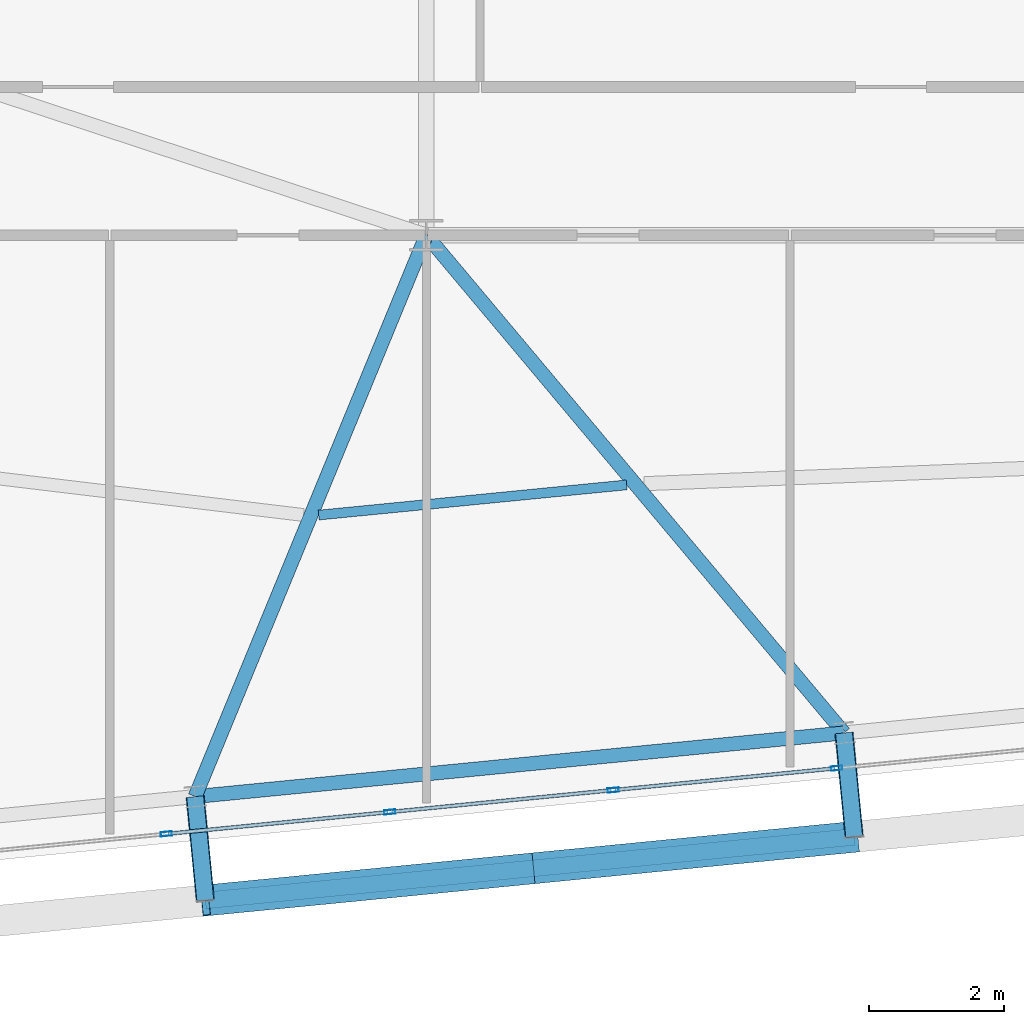
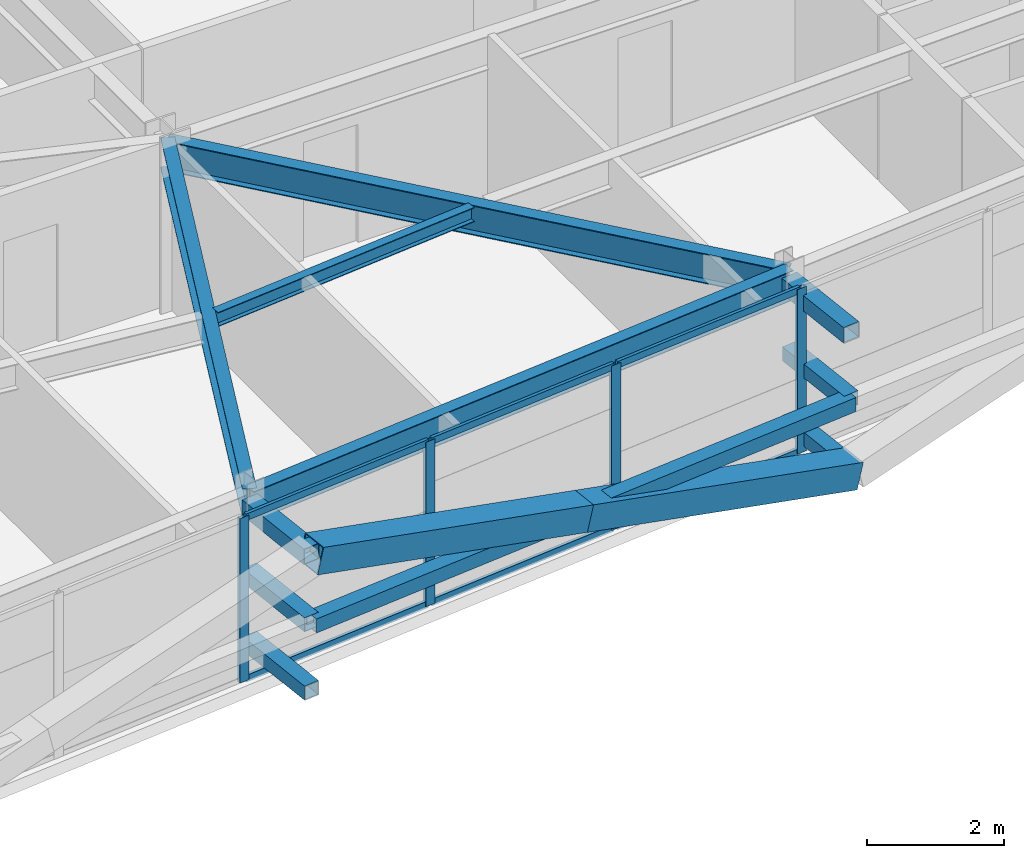
# One storey, part 10 of 54: 19 members, 4 beams, 1 element without a shape of its own.
"""IFC4 building model written with IfcOpenShell, lengths in metres."""

from ifc_helpers import new_model, si_unit, direction, frame, origin, origin_2d, place, context, subcontext, project, spatial, hollow_rectangle, i_section, extrude, source, transform, mapped, material, layer, layer_set, material_profile, profile_set, type_object, element, aggregate, save


model = new_model("IFC4")

# Units and contexts
model_context = context("Model", 3, precision=1e-05, world=origin(), true_north=direction((0.0, 1.0)))
body_context = subcontext(model_context, "Body", "Model", "MODEL_VIEW")
ifc_project = project(units=[si_unit("LENGTHUNIT", "METRE"), si_unit("AREAUNIT", "SQUARE_METRE"), si_unit("VOLUMEUNIT", "CUBIC_METRE"), si_unit("PLANEANGLEUNIT", "RADIAN"), si_unit("MASSUNIT", "GRAM", prefix="KILO")], contexts=[model_context])

# Site, building, storey
site_placement = place(None, origin())
site = spatial("IfcSite", under=ifc_project, at=site_placement, CompositionType="ELEMENT")
building_placement = place(site_placement, origin())
building = spatial("IfcBuilding", under=site, at=building_placement, Name="Taldren Reach Tower", CompositionType="ELEMENT")
storey_placement = place(building_placement, frame((0.0, 0.0, 99.75)))
storey = spatial("IfcBuildingStorey", under=building, at=storey_placement, Name="L30", CompositionType="ELEMENT", Elevation=99.75)

# Beams
ifc_material_1 = material(Name="Steel Gr 350 (350PLUS)", Category="steel")
ifc_material_profile_1 = material_profile(ifc_material_1, i_section(OverallWidth=0.208984375, OverallDepth=0.528076171875, WebThickness=0.009521484375, FlangeThickness=0.01318359375, at=origin_2d()), Name="530UB82.0")
ifc_profile_set_1 = profile_set([ifc_material_profile_1], Name="Steel Gr 350 (350PLUS)")
beam_type_1 = type_object("IfcBeamType", Name="SP-UB530B", PredefinedType="SPANDREL", material=ifc_profile_set_1)
shared_shape_1 = source(origin(), body_context, "Body", "SweptSolid", [
    extrude(i_section(OverallWidth=0.208984375, OverallDepth=0.528076171875, WebThickness=0.009521484375, FlangeThickness=0.01318359375, at=origin_2d()), origin(), (0.0, 0.0, 1.0), 9.679931640625),
])
beam_1_placement = place(storey_placement, frame((24.56787109375, 0.86474609375, 2.666015625), z_axis=(0.995227612658, 0.097580730699, 0.0), x_axis=(-0.097580730699, 0.995227612658, 0.0)))
element("IfcBeam", 1, at=beam_1_placement, inside=storey, type_object=beam_type_1, Name="Perimeter spandrel B2 S2-S3 L30", PredefinedType="SPANDREL", context=body_context, shape_type="MappedRepresentation", body=[
    mapped(shared_shape_1, transform((0.0, 0.0, 0.0), scale=1.0)),
])
ifc_material_profile_2 = material_profile(ifc_material_1, i_section(OverallWidth=0.208984375, OverallDepth=0.532958984375, WebThickness=0.01025390625, FlangeThickness=0.015625, at=origin_2d()), Name="530UB92.4")
ifc_profile_set_2 = profile_set([ifc_material_profile_2], Name="Steel Gr 350 (350PLUS)")
beam_type_2 = type_object("IfcBeamType", Name="BM-UB530A", PredefinedType="BEAM", material=ifc_profile_set_2)
shared_shape_2 = source(origin(), body_context, "Body", "SweptSolid", [
    extrude(i_section(OverallWidth=0.208984375, OverallDepth=0.532958984375, WebThickness=0.01025390625, FlangeThickness=0.015625, at=origin_2d()), origin(), (0.0, 0.0, 1.0), 9.01416015625),
])
beam_2_placement = place(storey_placement, frame((28.0, 9.199951171875, 2.66357421875), z_axis=(-0.380748443035, -0.924678659387, 0.0), x_axis=(0.924678659387, -0.380748443035, 0.0)))
element("IfcBeam", 2, at=beam_2_placement, inside=storey, type_object=beam_type_2, Name="Primary floor girder B2-S2 L30", PredefinedType="BEAM", context=body_context, shape_type="MappedRepresentation", body=[
    mapped(shared_shape_2, transform((0.0, 0.0, 0.0), scale=1.0)),
])
shared_shape_3 = source(origin(), body_context, "Body", "SweptSolid", [
    extrude(i_section(OverallWidth=0.208984375, OverallDepth=0.532958984375, WebThickness=0.01025390625, FlangeThickness=0.015625, at=origin_2d()), origin(), (0.0, 0.0, 1.0), 9.64794921875),
])
beam_3_placement = place(storey_placement, frame((28.0, 9.199951171875, 2.66357421875), z_axis=(0.642799132398, -0.766034774268, 0.0), x_axis=(0.766034774268, 0.642799132398, 0.0)))
element("IfcBeam", 3, at=beam_3_placement, inside=storey, type_object=beam_type_2, Name="Primary floor girder B2-S3 L30", PredefinedType="BEAM", context=body_context, shape_type="MappedRepresentation", body=[
    mapped(shared_shape_3, transform((0.0, 0.0, 0.0), scale=1.0)),
])
ifc_material_2 = material(Name="Steel Gr 300 (300PLUS, 300 MPa)", Category="steel")
ifc_material_profile_3 = material_profile(ifc_material_2, i_section(OverallWidth=0.14599609375, OverallDepth=0.256103515625, WebThickness=0.00634765625, FlangeThickness=0.010986328125, at=origin_2d()), Name="250UB37.3")
ifc_profile_set_3 = profile_set([ifc_material_profile_3], Name="Steel Gr 300 (300PLUS, 300 MPa)")
beam_type_3 = type_object("IfcBeamType", Name="JS-UB250", PredefinedType="JOIST", material=ifc_profile_set_3)
shared_shape_4 = source(origin(), body_context, "Body", "SweptSolid", [
    extrude(i_section(OverallWidth=0.14599609375, OverallDepth=0.256103515625, WebThickness=0.00634765625, FlangeThickness=0.010986328125, at=origin_2d()), origin(), (0.0, 0.0, 1.0), 4.594970703125),
])
beam_4_placement = place(storey_placement, frame((26.40185546875, 5.0439453125, 2.802001953125), z_axis=(0.995230447096, 0.097551817888, 0.0), x_axis=(-0.097551817888, 0.995230447096, 0.0)))
element("IfcBeam", 4, at=beam_4_placement, inside=storey, type_object=beam_type_3, Name="Secondary floor joist B2 J2 L30", PredefinedType="JOIST", context=body_context, shape_type="MappedRepresentation", body=[
    mapped(shared_shape_4, transform((0.0, 0.0, 0.0), scale=1.0)),
])

# Members
ifc_material_3 = material(Name="Steel Gr 450 (C450L0)", Category="steel")
ifc_material_profile_4 = material_profile(ifc_material_3, hollow_rectangle(XDim=0.27490234375, YDim=0.27490234375, WallThickness=0.00927734375, at=origin_2d()), Name="275x275x9.3SHS")
ifc_profile_set_4 = profile_set([ifc_material_profile_4], Name="Steel Gr 450 (C450L0)")
member_type_1 = type_object("IfcMemberType", Name="MB-TIE273", PredefinedType="STRUT", material=ifc_profile_set_4)
shared_shape_5 = source(origin(), body_context, "Body", "SweptSolid", [
    extrude(hollow_rectangle(XDim=0.27490234375, YDim=0.27490234375, WallThickness=0.00927734375, at=origin_2d()), origin(), (0.0, 0.0, 1.0), 1.550048828125),
])
for number, where, z_axis, x_axis, name in (
    (5, (24.56787109375, 0.86474609375, 2.64990234375), (0.097647892962, -0.9952210252, 0.0), (0.9952210252, 0.097647892962, 0.0), "Exoskeleton diaphragm tie strut B2-S2 L30"),
    (6, (34.20166015625, 1.809326171875, 2.64990234375), (0.097647892962, -0.9952210252, 0.0), (0.9952210252, 0.097647892962, 0.0), "Exoskeleton diaphragm tie strut B2-S3 L30"),
):
    element("IfcMember", number, at=place(storey_placement, frame(where, z_axis=z_axis, x_axis=x_axis)), inside=storey, type_object=member_type_1, Name=name, PredefinedType="STRUT", context=body_context, shape_type="MappedRepresentation", body=[
        mapped(shared_shape_5, transform((0.0, 0.0, 0.0), scale=1.0)),
    ])
ifc_material_profile_5 = material_profile(ifc_material_3, hollow_rectangle(XDim=0.4599609375, YDim=0.4599609375, WallThickness=0.01611328125, at=origin_2d()), Name="460x460x16.0SHS")
ifc_profile_set_5 = profile_set([ifc_material_profile_5], Name="Steel Gr 450 (C450L0)")
member_type_2 = type_object("IfcMemberType", Name="MB-EXO457", PredefinedType="BRACE", material=ifc_profile_set_5)
shared_shape_6 = source(origin(), body_context, "Body", "SweptSolid", [
    extrude(hollow_rectangle(XDim=0.4599609375, YDim=0.4599609375, WallThickness=0.01611328125, at=origin_2d()), origin(), (0.0, 0.0, 1.0), 4.990234375),
])
for number, where, z_axis, x_axis, name in (
    (7, (34.35302734375, 0.2666015625, 0.219970703125), (-0.965275526283, -0.094619506732, 0.243496010862), (0.097555749586, -0.995230061706, 0.0), "Exoskeleton Diagrid Brace B2-S2 L30"),
    (8, (29.5361328125, -0.20556640625, 1.43505859375), (-0.965282554799, -0.094669120301, 0.243448859234), (0.097605711627, -0.995225162995, 0.0), "Exoskeleton Diagrid Brace B2-S2 L30"),
):
    element("IfcMember", number, at=place(storey_placement, frame(where, z_axis=z_axis, x_axis=x_axis)), inside=storey, type_object=member_type_2, Name=name, PredefinedType="BRACE", context=body_context, shape_type="MappedRepresentation", body=[
        mapped(shared_shape_6, transform((0.0, 0.0, 0.0), scale=1.0)),
    ])
ifc_material_4 = material(Name="Steel Gr 350 (C350L0)", Category="steel")
ifc_material_profile_6 = material_profile(ifc_material_4, hollow_rectangle(XDim=0.25, YDim=0.25, WallThickness=0.010009765625, at=origin_2d()), Name="250x250x10.0SHS")
ifc_profile_set_6 = profile_set([ifc_material_profile_6], Name="Steel Gr 350 (C350L0)")
member_type_3 = type_object("IfcMemberType", Name="MB-POST250", PredefinedType="POST", material=ifc_profile_set_6)
shared_shape_7 = source(origin(), body_context, "Body", "SweptSolid", [
    extrude(hollow_rectangle(XDim=0.25, YDim=0.25, WallThickness=0.010009765625, at=origin_2d()), origin(), (0.0, 0.0, 1.0), 9.679931640625),
])
member_1_placement = place(storey_placement, frame((24.71923828125, -0.677978515625, 1.43505859375), z_axis=(0.995227612658, 0.097580730699, 0.0), x_axis=(-0.097580730699, 0.995227612658, 0.0)))
element("IfcMember", 9, at=member_1_placement, inside=storey, type_object=member_type_3, Name="Exoskeleton mid-height ring chord B2-S2 L30", PredefinedType="POST", context=body_context, shape_type="MappedRepresentation", body=[
    mapped(shared_shape_7, transform((0.0, 0.0, 0.0), scale=1.0)),
])
shared_shape_8 = source(origin(), body_context, "Body", "SweptSolid", [
    extrude(hollow_rectangle(XDim=0.25, YDim=0.25, WallThickness=0.010009765625, at=origin_2d()), origin(), (0.0, 0.0, 1.0), 1.550048828125),
])
for number, where, z_axis, x_axis, name in (
    (10, (24.56787109375, 0.86474609375, 0.219970703125), (0.097647892962, -0.9952210252, 0.0), (0.9952210252, 0.097647892962, 0.0), "Exoskeleton base diaphragm tie strut B2-S2 L30"),
    (11, (34.20166015625, 1.809326171875, 0.219970703125), (0.097647892962, -0.9952210252, 0.0), (0.9952210252, 0.097647892962, 0.0), "Exoskeleton base diaphragm tie strut B2-S3 L30"),
    (12, (24.56787109375, 0.86474609375, 1.43505859375), (0.097647892962, -0.9952210252, 0.0), (0.9952210252, 0.097647892962, 0.0), "Exoskeleton mid-tier diaphragm tie B2-S2 L30"),
    (13, (34.20166015625, 1.809326171875, 1.43505859375), (0.097647892962, -0.9952210252, 0.0), (0.9952210252, 0.097647892962, 0.0), "Exoskeleton mid-tier diaphragm tie B2-S3 L30"),
):
    element("IfcMember", number, at=place(storey_placement, frame(where, z_axis=z_axis, x_axis=x_axis)), inside=storey, type_object=member_type_3, Name=name, PredefinedType="POST", context=body_context, shape_type="MappedRepresentation", body=[
        mapped(shared_shape_8, transform((0.0, 0.0, 0.0), scale=1.0)),
    ])

# Curtain wall, members
ifc_material_5 = material(Name="Aluminium and Low-E Glass Unitised System", Category="aluminium")
ifc_layer = layer(ifc_material_5, 0.159912109375)
ifc_layer_set = layer_set([ifc_layer], Name="Aluminium and Low-E Glass Unitised System")
curtain_wall_type = type_object("IfcCurtainWallType", Name="CW-SYS-3", PredefinedType="NOTDEFINED", material=ifc_layer_set)
curtain_wall_placement = place(storey_placement, origin())
curtain_wall = element("IfcCurtainWall", 14, at=curtain_wall_placement, inside=storey, type_object=curtain_wall_type, Name="Unitised curtain wall CW-L30-S", PredefinedType="NOTDEFINED")
ifc_material_6 = material(Name="Anodised Aluminium 6063-T6", Category="aluminium")
ifc_material_profile_7 = material_profile(ifc_material_6, hollow_rectangle(XDim=0.06494140625, YDim=0.1650390625, WallThickness=0.00390625, at=origin_2d()), Name="ALU-165x65x4RHS")
ifc_profile_set_7 = profile_set([ifc_material_profile_7], Name="Anodised Aluminium 6063-T6")
member_type_4 = type_object("IfcMemberType", Name="CW-MUL-165", PredefinedType="MULLION", material=ifc_profile_set_7)
shared_shape_9 = source(origin(), body_context, "Body", "SweptSolid", [
    extrude(hollow_rectangle(XDim=0.06494140625, YDim=0.1650390625, WallThickness=0.00390625, at=origin_2d()), origin(), (0.0, 0.0, 1.0), 2.929931640625),
])
member_2_placement = place(storey_placement, frame((24.14013671875, 0.310302734375, 0.0), z_axis=(0.0, 0.0, 1.0), x_axis=(-0.097582999046, 0.995227390247, 0.0)))
member_2 = element("IfcMember", 15, at=member_2_placement, type_object=member_type_4, Name="CW-3 mullion 4", PredefinedType="MULLION", context=body_context, shape_type="MappedRepresentation", body=[
    mapped(shared_shape_9, transform((0.0, 0.0, 0.0), scale=1.0)),
])
member_3_placement = place(storey_placement, frame((27.45751953125, 0.635498046875, 0.0), z_axis=(0.0, 0.0, 1.0), x_axis=(-0.097582999046, 0.995227390247, 0.0)))
member_3 = element("IfcMember", 16, at=member_3_placement, type_object=member_type_4, Name="CW-3 mullion 5", PredefinedType="MULLION", context=body_context, shape_type="MappedRepresentation", body=[
    mapped(shared_shape_9, transform((0.0, 0.0, 0.0), scale=1.0)),
])
member_4_placement = place(storey_placement, frame((30.77490234375, 0.9609375, 0.0), z_axis=(0.0, 0.0, 1.0), x_axis=(-0.097582999046, 0.995227390247, 0.0)))
member_4 = element("IfcMember", 17, at=member_4_placement, type_object=member_type_4, Name="CW-3 mullion 6", PredefinedType="MULLION", context=body_context, shape_type="MappedRepresentation", body=[
    mapped(shared_shape_9, transform((0.0, 0.0, 0.0), scale=1.0)),
])
member_5_placement = place(storey_placement, frame((34.09228515625, 1.2861328125, 0.0), z_axis=(0.0, 0.0, 1.0), x_axis=(-0.097582999046, 0.995227390247, 0.0)))
member_5 = element("IfcMember", 18, at=member_5_placement, type_object=member_type_4, Name="CW-3 mullion 7", PredefinedType="MULLION", context=body_context, shape_type="MappedRepresentation", body=[
    mapped(shared_shape_9, transform((0.0, 0.0, 0.0), scale=1.0)),
])
ifc_material_profile_8 = material_profile(ifc_material_6, hollow_rectangle(XDim=0.054931640625, YDim=0.1201171875, WallThickness=0.0029296875, at=origin_2d()), Name="ALU-120x55x3RHS")
ifc_profile_set_8 = profile_set([ifc_material_profile_8], Name="Anodised Aluminium 6063-T6")
member_type_5 = type_object("IfcMemberType", Name="CW-TRN-135", PredefinedType="USERDEFINED", material=ifc_profile_set_8)
shared_shape_10 = source(origin(), body_context, "Body", "SweptSolid", [
    extrude(hollow_rectangle(XDim=0.054931640625, YDim=0.1201171875, WallThickness=0.0029296875, at=origin_2d()), origin(), (0.0, 0.0, 1.0), 3.268310546875),
])
member_6_placement = place(storey_placement, frame((24.17236328125, 0.3134765625, 0.027587890625), z_axis=(0.99522980512, 0.097558367146, 0.0), x_axis=(-0.097558367146, 0.99522980512, 0.0)))
member_6 = element("IfcMember", 19, at=member_6_placement, type_object=member_type_5, Name="CW-3 transom 4.1", ObjectType="TRANSOM", PredefinedType="USERDEFINED", context=body_context, shape_type="MappedRepresentation", body=[
    mapped(shared_shape_10, transform((0.0, 0.0, 0.0), scale=1.0)),
])
member_7_placement = place(storey_placement, frame((24.17236328125, 0.3134765625, 2.902587890625), z_axis=(0.99522980512, 0.097558367146, 0.0), x_axis=(-0.097558367146, 0.99522980512, 0.0)))
member_7 = element("IfcMember", 20, at=member_7_placement, type_object=member_type_5, Name="CW-3 transom 4.2", ObjectType="TRANSOM", PredefinedType="USERDEFINED", context=body_context, shape_type="MappedRepresentation", body=[
    mapped(shared_shape_10, transform((0.0, 0.0, 0.0), scale=1.0)),
])
member_8_placement = place(storey_placement, frame((27.48974609375, 0.638671875, 0.027587890625), z_axis=(0.995222549564, 0.097632355496, 0.0), x_axis=(-0.097632355496, 0.995222549564, 0.0)))
member_8 = element("IfcMember", 21, at=member_8_placement, type_object=member_type_5, Name="CW-3 transom 5.1", ObjectType="TRANSOM", PredefinedType="USERDEFINED", context=body_context, shape_type="MappedRepresentation", body=[
    mapped(shared_shape_10, transform((0.0, 0.0, 0.0), scale=1.0)),
])
member_9_placement = place(storey_placement, frame((27.48974609375, 0.638671875, 2.902587890625), z_axis=(0.995222549564, 0.097632355496, 0.0), x_axis=(-0.097632355496, 0.995222549564, 0.0)))
member_9 = element("IfcMember", 22, at=member_9_placement, type_object=member_type_5, Name="CW-3 transom 5.2", ObjectType="TRANSOM", PredefinedType="USERDEFINED", context=body_context, shape_type="MappedRepresentation", body=[
    mapped(shared_shape_10, transform((0.0, 0.0, 0.0), scale=1.0)),
])
shared_shape_11 = source(origin(), body_context, "Body", "SweptSolid", [
    extrude(hollow_rectangle(XDim=0.054931640625, YDim=0.1201171875, WallThickness=0.0029296875, at=origin_2d()), origin(), (0.0, 0.0, 1.0), 3.2685546875),
])
member_10_placement = place(storey_placement, frame((30.80712890625, 0.964111328125, 0.027587890625), z_axis=(0.99523051601, 0.097551114824, 0.0), x_axis=(-0.097551114824, 0.99523051601, 0.0)))
member_10 = element("IfcMember", 23, at=member_10_placement, type_object=member_type_5, Name="CW-3 transom 6.1", ObjectType="TRANSOM", PredefinedType="USERDEFINED", context=body_context, shape_type="MappedRepresentation", body=[
    mapped(shared_shape_11, transform((0.0, 0.0, 0.0), scale=1.0)),
])
member_11_placement = place(storey_placement, frame((30.80712890625, 0.964111328125, 2.902587890625), z_axis=(0.99523051601, 0.097551114824, 0.0), x_axis=(-0.097551114824, 0.99523051601, 0.0)))
member_11 = element("IfcMember", 24, at=member_11_placement, type_object=member_type_5, Name="CW-3 transom 6.2", ObjectType="TRANSOM", PredefinedType="USERDEFINED", context=body_context, shape_type="MappedRepresentation", body=[
    mapped(shared_shape_11, transform((0.0, 0.0, 0.0), scale=1.0)),
])
aggregate(curtain_wall, [member_2, member_3, member_4, member_5, member_6, member_7, member_8, member_9, member_10, member_11])

save(model, "model.ifc")
